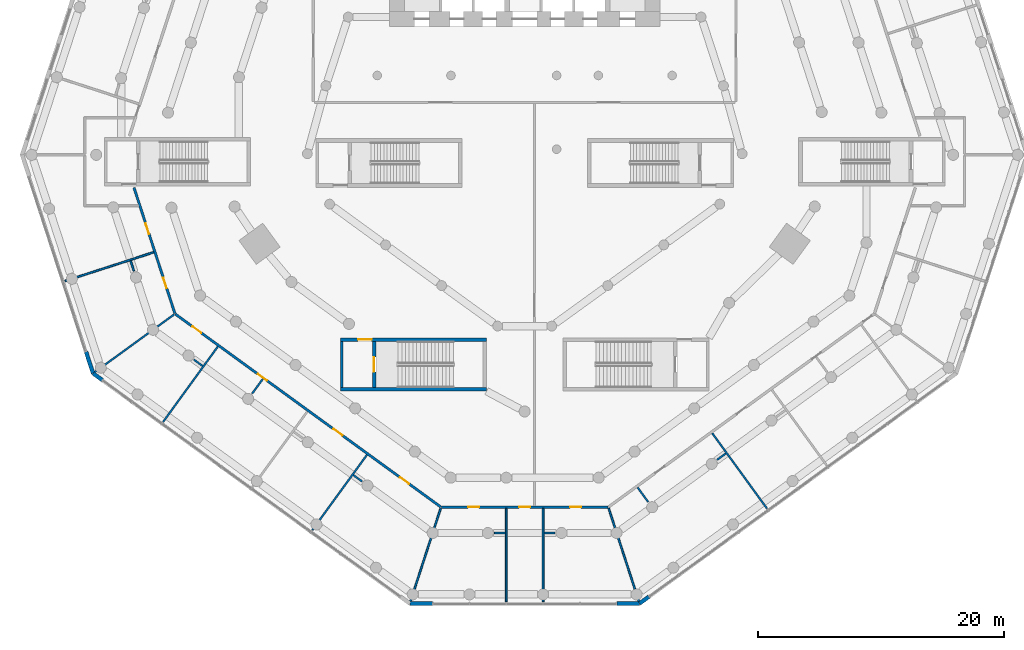
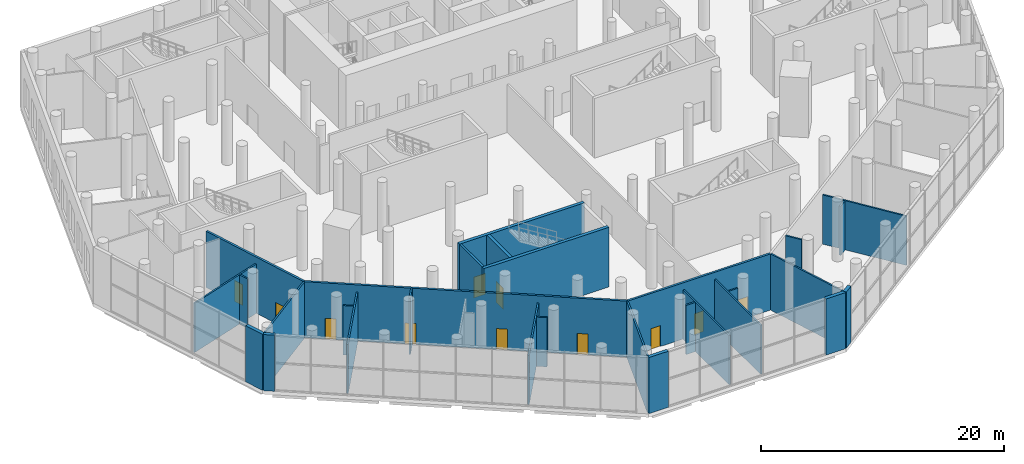
# One storey, part 12 of 23: 29 walls, 11 doors, 11 openings.
"""IFC4 building model written with IfcOpenShell, lengths in metres."""

from ifc_helpers import new_model, si_unit, direction, frame, frame_2d, origin, place, context, subcontext, project, spatial, rectangle, extrude, material, layer, layer_set, type_object, element, fill, save


model = new_model("IFC4")

# Units and contexts
model_context = context("Model", 3, precision=1e-05, world=origin(), true_north=direction((0.0, 1.0)))
body_context = subcontext(model_context, "Body", "Model", "MODEL_VIEW")
ifc_project = project(units=[si_unit("LENGTHUNIT", "METRE"), si_unit("AREAUNIT", "SQUARE_METRE"), si_unit("VOLUMEUNIT", "CUBIC_METRE"), si_unit("PLANEANGLEUNIT", "RADIAN"), si_unit("MASSUNIT", "GRAM", prefix="KILO")], contexts=[model_context])

# Site, building, storey
site_placement = place(None, origin())
site = spatial("IfcSite", under=ifc_project, at=site_placement, CompositionType="ELEMENT")
building_placement = place(site_placement, origin())
building = spatial("IfcBuilding", under=site, at=building_placement, Name="White Candle Pilgrim Tower", CompositionType="ELEMENT")
storey_placement = place(building_placement, frame((0.0, 0.0, 9.0)))
storey = spatial("IfcBuildingStorey", under=building, at=storey_placement, Name="L01", CompositionType="ELEMENT", Elevation=9.0)

# Wall
ifc_material_1 = material(Name="Concrete C70/85", Category="concrete")
ifc_layer_1 = layer(ifc_material_1, 0.199951171875)
ifc_layer_set_1 = layer_set([ifc_layer_1], Name="Core wall 200 mm Concrete C70/85")
wall_type_1 = type_object("IfcWallType", Name="Core wall 200 mm Concrete C70/85", PredefinedType="SHEAR", material=ifc_layer_set_1)
wall_1_placement = place(storey_placement, frame((55.10009765625, 41.60009765625, 0.0), z_axis=(0.0, 0.0, 1.0), x_axis=(0.0, 1.0, 0.0)))
element("IfcWall", 1, at=wall_1_placement, inside=storey, type_object=wall_type_1, Name="WL-L01-C03", PredefinedType="SHEAR", context=body_context, shape_type="SweptSolid", body=[
    extrude(rectangle(XDim=3.75, YDim=0.199951171875, at=frame_2d((1.875, 0.0))), origin(), (0.0, 0.0, 1.0), 6.0),
])

# Wall, openings, doors
ifc_material_2 = material(Name="Gypsum board on steel studs", Category="steel")
ifc_layer_2 = layer(ifc_material_2, 0.199951171875)
ifc_layer_set_2 = layer_set([ifc_layer_2], Name="Corridor wall 200 mm EI 45")
wall_type_2 = type_object("IfcWallType", Name="Corridor wall 200 mm EI 45", PredefinedType="PARTITIONING", material=ifc_layer_set_2)
wall_2_placement = place(storey_placement, frame((41.526611328125, 47.62890625, 0.0), z_axis=(0.0, 0.0, 1.0), x_axis=(-0.309028648899, 0.951052729432, 0.0)))
wall_2 = element("IfcWall", 2, at=wall_2_placement, inside=storey, type_object=wall_type_2, Name="WL-L01-P001", PredefinedType="PARTITIONING", context=body_context, shape_type="SweptSolid", body=[
    extrude(rectangle(XDim=10.767333984375, YDim=0.199951171875, at=frame_2d((5.3837890625, 0.0))), origin(), (0.0, 0.0, 1.0), 5.64990234375),
])
opening_1_placement = place(wall_2_placement, frame((6.796875, 0.0, 0.0)))
opening_1 = element("IfcOpeningElement", 3, at=opening_1_placement, cuts=wall_2, Name="Opening L01-104", PredefinedType="OPENING", context=body_context, shape_type="SweptSolid", body=[
    extrude(rectangle(XDim=0.89990234375, YDim=2.10009765625, at=frame_2d((0.449951171875, 1.050048828125))), frame((0.0, 0.10986328125, 0.0), z_axis=(0.0, -1.0, 0.0), x_axis=(1.0, 0.0, 0.0)), (0.0, 0.0, 1.0), 0.219970703125),
])
opening_2_placement = place(wall_2_placement, frame((2.169189453125, 0.0, 0.0)))
opening_2 = element("IfcOpeningElement", 4, at=opening_2_placement, cuts=wall_2, Name="Opening L01-105", PredefinedType="OPENING", context=body_context, shape_type="SweptSolid", body=[
    extrude(rectangle(XDim=0.89990234375, YDim=2.10009765625, at=frame_2d((0.449951171875, 1.050048828125))), frame((0.0, 0.10986328125, 0.0), z_axis=(0.0, -1.0, 0.0), x_axis=(1.0, 0.0, 0.0)), (0.0, 0.0, 1.0), 0.219970703125),
])
ifc_material_3 = material(Name="Steel door leaf", Category="steel")
door_type_1 = type_object("IfcDoorType", Name="Fire door 900 x 2100 EI 30", OperationType="NOTDEFINED", PredefinedType="DOOR", material=ifc_material_3)
door_1_placement = place(opening_1_placement, origin())
door_1 = element("IfcDoor", 5, at=door_1_placement, inside=storey, type_object=door_type_1, Name="Door L01-104", OperationType="SINGLE_SWING_RIGHT", OverallHeight=2.10009765625, OverallWidth=0.89990234375, PredefinedType="DOOR", context=body_context, shape_type="SweptSolid", body=[
    extrude(rectangle(XDim=0.89990234375, YDim=2.10009765625, at=frame_2d((0.449951171875, 1.050048828125))), frame((0.0, 0.02490234375, 0.0), z_axis=(0.0, -1.0, 0.0), x_axis=(1.0, 0.0, 0.0)), (0.0, 0.0, 1.0), 0.050048828125),
])
fill(opening_1, door_1)
door_2_placement = place(opening_2_placement, origin())
door_2 = element("IfcDoor", 6, at=door_2_placement, inside=storey, type_object=door_type_1, Name="Door L01-105", OperationType="SINGLE_SWING_LEFT", OverallHeight=2.10009765625, OverallWidth=0.89990234375, PredefinedType="DOOR", context=body_context, shape_type="SweptSolid", body=[
    extrude(rectangle(XDim=0.89990234375, YDim=2.10009765625, at=frame_2d((0.449951171875, 1.050048828125))), frame((0.0, 0.02490234375, 0.0), z_axis=(0.0, -1.0, 0.0), x_axis=(1.0, 0.0, 0.0)), (0.0, 0.0, 1.0), 0.050048828125),
])
fill(opening_2, door_2)

wall_3_placement = place(storey_placement, frame((76.77099609375, 31.861083984375, 0.0), z_axis=(0.0, 0.0, 1.0), x_axis=(-1.0, 0.0, 0.0)))
wall_3 = element("IfcWall", 7, at=wall_3_placement, inside=storey, type_object=wall_type_2, Name="WL-L01-P010", PredefinedType="PARTITIONING", context=body_context, shape_type="SweptSolid", body=[
    extrude(rectangle(XDim=13.5419921875, YDim=0.199951171875, at=frame_2d((6.77099609375, 0.0))), origin(), (0.0, 0.0, 1.0), 5.64990234375),
])
opening_3_placement = place(wall_3_placement, frame((10.472900390625, 0.0, 0.0)))
opening_3 = element("IfcOpeningElement", 8, at=opening_3_placement, cuts=wall_3, Name="Opening L01-110", PredefinedType="OPENING", context=body_context, shape_type="SweptSolid", body=[
    extrude(rectangle(XDim=0.89990234375, YDim=2.10009765625, at=frame_2d((0.449951171875, 1.050048828125))), frame((0.0, 0.10986328125, 0.0), z_axis=(0.0, -1.0, 0.0), x_axis=(1.0, 0.0, 0.0)), (0.0, 0.0, 1.0), 0.219970703125),
])
opening_4_placement = place(wall_3_placement, frame((6.321044921875, 0.0, 0.0)))
opening_4 = element("IfcOpeningElement", 9, at=opening_4_placement, cuts=wall_3, Name="Opening L01-111", PredefinedType="OPENING", context=body_context, shape_type="SweptSolid", body=[
    extrude(rectangle(XDim=0.89990234375, YDim=2.10009765625, at=frame_2d((0.449951171875, 1.050048828125))), frame((0.0, 0.10986328125, 0.0), z_axis=(0.0, -1.0, 0.0), x_axis=(1.0, 0.0, 0.0)), (0.0, 0.0, 1.0), 0.219970703125),
])
opening_5_placement = place(wall_3_placement, frame((2.169189453125, 0.0, 0.0)))
opening_5 = element("IfcOpeningElement", 10, at=opening_5_placement, cuts=wall_3, Name="Opening L01-112", PredefinedType="OPENING", context=body_context, shape_type="SweptSolid", body=[
    extrude(rectangle(XDim=0.89990234375, YDim=2.10009765625, at=frame_2d((0.449951171875, 1.050048828125))), frame((0.0, 0.10986328125, 0.0), z_axis=(0.0, -1.0, 0.0), x_axis=(1.0, 0.0, 0.0)), (0.0, 0.0, 1.0), 0.219970703125),
])
door_3_placement = place(opening_3_placement, origin())
door_3 = element("IfcDoor", 11, at=door_3_placement, inside=storey, type_object=door_type_1, Name="Door L01-110", OperationType="SINGLE_SWING_RIGHT", OverallHeight=2.10009765625, OverallWidth=0.89990234375, PredefinedType="DOOR", context=body_context, shape_type="SweptSolid", body=[
    extrude(rectangle(XDim=0.89990234375, YDim=2.10009765625, at=frame_2d((0.449951171875, 1.050048828125))), frame((0.0, 0.02490234375, 0.0), z_axis=(0.0, -1.0, 0.0), x_axis=(1.0, 0.0, 0.0)), (0.0, 0.0, 1.0), 0.050048828125),
])
fill(opening_3, door_3)
door_4_placement = place(opening_4_placement, origin())
door_4 = element("IfcDoor", 12, at=door_4_placement, inside=storey, type_object=door_type_1, Name="Door L01-111", OperationType="SINGLE_SWING_LEFT", OverallHeight=2.10009765625, OverallWidth=0.89990234375, PredefinedType="DOOR", context=body_context, shape_type="SweptSolid", body=[
    extrude(rectangle(XDim=0.89990234375, YDim=2.10009765625, at=frame_2d((0.449951171875, 1.050048828125))), frame((0.0, 0.02490234375, 0.0), z_axis=(0.0, -1.0, 0.0), x_axis=(1.0, 0.0, 0.0)), (0.0, 0.0, 1.0), 0.050048828125),
])
fill(opening_4, door_4)
door_5_placement = place(opening_5_placement, origin())
door_5 = element("IfcDoor", 13, at=door_5_placement, inside=storey, type_object=door_type_1, Name="Door L01-112", OperationType="SINGLE_SWING_RIGHT", OverallHeight=2.10009765625, OverallWidth=0.89990234375, PredefinedType="DOOR", context=body_context, shape_type="SweptSolid", body=[
    extrude(rectangle(XDim=0.89990234375, YDim=2.10009765625, at=frame_2d((0.449951171875, 1.050048828125))), frame((0.0, 0.02490234375, 0.0), z_axis=(0.0, -1.0, 0.0), x_axis=(1.0, 0.0, 0.0)), (0.0, 0.0, 1.0), 0.050048828125),
])
fill(opening_5, door_5)

wall_4_placement = place(storey_placement, frame((63.170166015625, 31.880126953125, 0.0), z_axis=(0.0, 0.0, 1.0), x_axis=(-0.809016646189, 0.587785731529, 0.0)))
wall_4 = element("IfcWall", 14, at=wall_4_placement, inside=storey, type_object=wall_type_2, Name="WL-L01-P011", PredefinedType="PARTITIONING", context=body_context, shape_type="SweptSolid", body=[
    extrude(rectangle(XDim=26.708251953125, YDim=0.199951171875, at=frame_2d((13.35400390625, 0.0))), origin(), (0.0, 0.0, 1.0), 5.64990234375),
])
opening_6_placement = place(wall_4_placement, frame((24.097412109375, 0.0, 0.0)))
opening_6 = element("IfcOpeningElement", 15, at=opening_6_placement, cuts=wall_4, Name="Opening L01-106", PredefinedType="OPENING", context=body_context, shape_type="SweptSolid", body=[
    extrude(rectangle(XDim=0.89990234375, YDim=2.10009765625, at=frame_2d((0.449951171875, 1.050048828125))), frame((0.0, 0.10986328125, 0.0), z_axis=(0.0, -1.0, 0.0), x_axis=(1.0, 0.0, 0.0)), (0.0, 0.0, 1.0), 0.219970703125),
])
opening_7_placement = place(wall_4_placement, frame((17.47900390625, 0.0, 0.0)))
opening_7 = element("IfcOpeningElement", 16, at=opening_7_placement, cuts=wall_4, Name="Opening L01-107", PredefinedType="OPENING", context=body_context, shape_type="SweptSolid", body=[
    extrude(rectangle(XDim=0.89990234375, YDim=2.10009765625, at=frame_2d((0.449951171875, 1.050048828125))), frame((0.0, 0.10986328125, 0.0), z_axis=(0.0, -1.0, 0.0), x_axis=(1.0, 0.0, 0.0)), (0.0, 0.0, 1.0), 0.219970703125),
])
opening_8_placement = place(wall_4_placement, frame((9.904052734375, 0.0, 0.0)))
opening_8 = element("IfcOpeningElement", 17, at=opening_8_placement, cuts=wall_4, Name="Opening L01-108", PredefinedType="OPENING", context=body_context, shape_type="SweptSolid", body=[
    extrude(rectangle(XDim=0.89990234375, YDim=2.10009765625, at=frame_2d((0.449951171875, 1.050048828125))), frame((0.0, 0.10986328125, 0.0), z_axis=(0.0, -1.0, 0.0), x_axis=(1.0, 0.0, 0.0)), (0.0, 0.0, 1.0), 0.219970703125),
])
opening_9_placement = place(wall_4_placement, frame((3.210693359375, 0.0, 0.0)))
opening_9 = element("IfcOpeningElement", 18, at=opening_9_placement, cuts=wall_4, Name="Opening L01-109", PredefinedType="OPENING", context=body_context, shape_type="SweptSolid", body=[
    extrude(rectangle(XDim=0.89990234375, YDim=2.10009765625, at=frame_2d((0.449951171875, 1.050048828125))), frame((0.0, 0.10986328125, 0.0), z_axis=(0.0, -1.0, 0.0), x_axis=(1.0, 0.0, 0.0)), (0.0, 0.0, 1.0), 0.219970703125),
])
door_6_placement = place(opening_6_placement, origin())
door_6 = element("IfcDoor", 19, at=door_6_placement, inside=storey, type_object=door_type_1, Name="Door L01-106", OperationType="SINGLE_SWING_RIGHT", OverallHeight=2.10009765625, OverallWidth=0.89990234375, PredefinedType="DOOR", context=body_context, shape_type="SweptSolid", body=[
    extrude(rectangle(XDim=0.89990234375, YDim=2.10009765625, at=frame_2d((0.449951171875, 1.050048828125))), frame((0.0, 0.02490234375, 0.0), z_axis=(0.0, -1.0, 0.0), x_axis=(1.0, 0.0, 0.0)), (0.0, 0.0, 1.0), 0.050048828125),
])
fill(opening_6, door_6)
door_7_placement = place(opening_7_placement, frame((0.89990234375, 0.0, 0.0), z_axis=(0.0, 0.0, 1.0), x_axis=(-1.0, 0.0, 0.0)))
door_7 = element("IfcDoor", 20, at=door_7_placement, inside=storey, type_object=door_type_1, Name="Door L01-107", OperationType="SINGLE_SWING_RIGHT", OverallHeight=2.10009765625, OverallWidth=0.89990234375, PredefinedType="DOOR", context=body_context, shape_type="SweptSolid", body=[
    extrude(rectangle(XDim=0.89990234375, YDim=2.10009765625, at=frame_2d((0.449951171875, 1.050048828125))), frame((0.0, 0.02490234375, 0.0), z_axis=(0.0, -1.0, 0.0), x_axis=(1.0, 0.0, 0.0)), (0.0, 0.0, 1.0), 0.050048828125),
])
fill(opening_7, door_7)
door_8_placement = place(opening_8_placement, origin())
door_8 = element("IfcDoor", 21, at=door_8_placement, inside=storey, type_object=door_type_1, Name="Door L01-108", OperationType="SINGLE_SWING_RIGHT", OverallHeight=2.10009765625, OverallWidth=0.89990234375, PredefinedType="DOOR", context=body_context, shape_type="SweptSolid", body=[
    extrude(rectangle(XDim=0.89990234375, YDim=2.10009765625, at=frame_2d((0.449951171875, 1.050048828125))), frame((0.0, 0.02490234375, 0.0), z_axis=(0.0, -1.0, 0.0), x_axis=(1.0, 0.0, 0.0)), (0.0, 0.0, 1.0), 0.050048828125),
])
fill(opening_8, door_8)
door_9_placement = place(opening_9_placement, origin())
door_9 = element("IfcDoor", 22, at=door_9_placement, inside=storey, type_object=door_type_1, Name="Door L01-109", OperationType="SINGLE_SWING_LEFT", OverallHeight=2.10009765625, OverallWidth=0.89990234375, PredefinedType="DOOR", context=body_context, shape_type="SweptSolid", body=[
    extrude(rectangle(XDim=0.89990234375, YDim=2.10009765625, at=frame_2d((0.449951171875, 1.050048828125))), frame((0.0, 0.02490234375, 0.0), z_axis=(0.0, -1.0, 0.0), x_axis=(1.0, 0.0, 0.0)), (0.0, 0.0, 1.0), 0.050048828125),
])
fill(opening_9, door_9)

# Walls
ifc_material_4 = material(Name="Precast concrete C40/50", Category="concrete")
ifc_layer_3 = layer(ifc_material_4, 0.320068359375)
ifc_layer_set_3 = layer_set([ifc_layer_3], Name="Facade wall EW3 precast concrete C40/50 and stone-faced podium wall")
wall_type_3 = type_object("IfcWallType", Name="Facade wall EW3 precast concrete C40/50 and stone-faced podium wall", PredefinedType="SOLIDWALL", material=ifc_layer_set_3)
wall_5_placement = place(storey_placement, frame((34.29541015625, 44.512939453125, 0.0), z_axis=(0.0, 0.0, 1.0), x_axis=(0.309017479962, -0.951056358518, 0.0)))
element("IfcWall", 23, at=wall_5_placement, inside=storey, type_object=wall_type_3, Name="Facade wall L01 W chamfer", PredefinedType="SOLIDWALL", context=body_context, shape_type="SweptSolid", body=[
    extrude(rectangle(XDim=1.85107421875, YDim=0.320068359375, at=frame_2d((0.925537109375, 0.0))), origin(), (0.0, 0.0, 1.0), 5.64990234375),
])
wall_6_placement = place(storey_placement, frame((34.867431640625, 42.75244140625, 0.0), z_axis=(0.0, 0.0, 1.0), x_axis=(0.809097681341, -0.587674180179, 0.0)))
element("IfcWall", 24, at=wall_6_placement, inside=storey, type_object=wall_type_3, Name="Facade wall L01 SW", PredefinedType="SOLIDWALL", context=body_context, shape_type="SweptSolid", body=[
    extrude(rectangle(XDim=0.933837890625, YDim=0.320068359375, at=frame_2d((0.466796875, 0.0))), origin(), (0.0, 0.0, 1.0), 5.64990234375),
])
for number, where, z_axis, x_axis, name in (
    (25, (60.64892578125, 24.02099609375, 0.0), (0.0, 0.0, 1.0), (1.0, 0.0, 0.0), "Facade wall L01 S chamfer"),
    (26, (77.5, 24.02099609375, 0.0), (0.0, 0.0, 1.0), (1.0, 0.0, 0.0), "Facade wall L01 S chamfer"),
):
    element("IfcWall", number, at=place(storey_placement, frame(where, z_axis=z_axis, x_axis=x_axis)), inside=storey, type_object=wall_type_3, Name=name, PredefinedType="SOLIDWALL", context=body_context, shape_type="SweptSolid", body=[
        extrude(rectangle(XDim=1.85107421875, YDim=0.320068359375, at=frame_2d((0.925537109375, 0.0))), origin(), (0.0, 0.0, 1.0), 5.64990234375),
    ])
wall_7_placement = place(storey_placement, frame((79.35107421875, 24.02099609375, 0.0), z_axis=(0.0, 0.0, 1.0), x_axis=(0.808883028491, 0.58796959634, 0.0)))
element("IfcWall", 27, at=wall_7_placement, inside=storey, type_object=wall_type_3, Name="Facade wall L01 SE", PredefinedType="SOLIDWALL", context=body_context, shape_type="SweptSolid", body=[
    extrude(rectangle(XDim=0.933837890625, YDim=0.320068359375, at=frame_2d((0.466796875, 0.0))), origin(), (0.0, 0.0, 1.0), 5.64990234375),
])
ifc_layer_4 = layer(ifc_material_2, 0.14990234375)
ifc_layer_set_4 = layer_set([ifc_layer_4], Name="Partition 150 mm EI 60")
wall_type_4 = type_object("IfcWallType", Name="Partition 150 mm EI 60", PredefinedType="PARTITIONING", material=ifc_layer_set_4)
for number, where, z_axis, x_axis, name in (
    (28, (35.00341796875, 42.851318359375, 0.0), (0.0, 0.0, 1.0), (0.809022705267, 0.587777391843, 0.0), "WL-L01-P013"),
    (29, (60.700927734375, 24.18115234375, 0.0), (0.0, 0.0, 1.0), (0.309032181924, 0.951051581427, 0.0), "WL-L01-P014"),
    (30, (79.299072265625, 24.18115234375, 0.0), (0.0, 0.0, 1.0), (-0.309032181924, 0.951051581427, 0.0), "WL-L01-P015"),
):
    element("IfcWall", number, at=place(storey_placement, frame(where, z_axis=z_axis, x_axis=x_axis)), inside=storey, type_object=wall_type_4, Name=name, PredefinedType="PARTITIONING", context=body_context, shape_type="SweptSolid", body=[
        extrude(rectangle(XDim=7.990234375, YDim=0.14990234375, at=frame_2d((3.9951171875, 0.0))), origin(), (0.0, 0.0, 1.0), 5.64990234375),
    ])
for number, where, z_axis, x_axis, name in (
    (31, (32.593505859375, 50.268798828125, 0.0), (0.0, 0.0, 1.0), (0.951058681979, 0.309010329007, 0.0), "WL-L01-P021"),
    (32, (40.571044921875, 38.806396484375, 0.0), (0.0, 0.0, 1.0), (0.587800109381, 0.80900619986, 0.0), "WL-L01-P022"),
    (33, (52.706298828125, 29.989501953125, 0.0), (0.0, 0.0, 1.0), (0.587800109381, 0.80900619986, 0.0), "WL-L01-P024"),
):
    element("IfcWall", number, at=place(storey_placement, frame(where, z_axis=z_axis, x_axis=x_axis)), inside=storey, type_object=wall_type_4, Name=name, PredefinedType="PARTITIONING", context=body_context, shape_type="SweptSolid", body=[
        extrude(rectangle(XDim=7.580078125, YDim=0.14990234375, at=frame_2d((3.7900390625, 0.0))), origin(), (0.0, 0.0, 1.0), 4.949951171875),
    ])
for number, where, z_axis, x_axis, name in (
    (34, (68.5, 24.18115234375, 0.0), (0.0, 0.0, 1.0), (0.0, 1.0, 0.0), "WL-L01-P025"),
    (35, (71.5, 24.18115234375, 0.0), (0.0, 0.0, 1.0), (0.0, 1.0, 0.0), "WL-L01-P026"),
    (36, (89.720703125, 31.7529296875, 0.0), (0.0, 0.0, 1.0), (-0.587779028788, 0.809021515979, 0.0), "WL-L01-P027"),
):
    element("IfcWall", number, at=place(storey_placement, frame(where, z_axis=z_axis, x_axis=x_axis)), inside=storey, type_object=wall_type_4, Name=name, PredefinedType="PARTITIONING", context=body_context, shape_type="SweptSolid", body=[
        extrude(rectangle(XDim=7.579833984375, YDim=0.14990234375, at=frame_2d((3.7900390625, 0.0))), origin(), (0.0, 0.0, 1.0), 4.949951171875),
    ])
wall_8_placement = place(storey_placement, frame((38.19287109375, 51.078125, 0.0), z_axis=(0.0, 0.0, 1.0), x_axis=(-0.309023738622, 0.95105432493, 0.0)))
element("IfcWall", 37, at=wall_8_placement, inside=storey, type_object=wall_type_4, Name="WL-L01-P037", PredefinedType="PARTITIONING", context=body_context, shape_type="SweptSolid", body=[
    extrude(rectangle(XDim=0.8857421875, YDim=0.14990234375, at=frame_2d((0.44287109375, 0.0))), origin(), (0.0, 0.0, 1.0), 4.949951171875),
])
wall_9_placement = place(storey_placement, frame((43.067138671875, 43.87548828125, 0.0), z_axis=(0.0, 0.0, 1.0), x_axis=(0.809010335679, -0.587794417092, 0.0)))
element("IfcWall", 38, at=wall_9_placement, inside=storey, type_object=wall_type_4, Name="WL-L01-P038", PredefinedType="PARTITIONING", context=body_context, shape_type="SweptSolid", body=[
    extrude(rectangle(XDim=0.885009765625, YDim=0.14990234375, at=frame_2d((0.4423828125, 0.0))), origin(), (0.0, 0.0, 1.0), 4.949951171875),
])
wall_10_placement = place(storey_placement, frame((47.818603515625, 41.106201171875, 0.0), z_axis=(0.0, 0.0, 1.0), x_axis=(0.587833462746, 0.808981965236, 0.0)))
element("IfcWall", 39, at=wall_10_placement, inside=storey, type_object=wall_type_4, Name="WL-L01-P039", PredefinedType="PARTITIONING", context=body_context, shape_type="SweptSolid", body=[
    extrude(rectangle(XDim=1.45947265625, YDim=0.14990234375, at=frame_2d((0.729736328125, 0.0))), origin(), (0.0, 0.0, 1.0), 5.64990234375),
])
wall_11_placement = place(storey_placement, frame((56.77001953125, 33.948486328125, 0.0), z_axis=(0.0, 0.0, 1.0), x_axis=(-0.809069729339, 0.587712661993, 0.0)))
element("IfcWall", 40, at=wall_11_placement, inside=storey, type_object=wall_type_4, Name="WL-L01-P041", PredefinedType="PARTITIONING", context=body_context, shape_type="SweptSolid", body=[
    extrude(rectangle(XDim=0.8857421875, YDim=0.14990234375, at=frame_2d((0.44287109375, 0.0))), origin(), (0.0, 0.0, 1.0), 4.949951171875),
])
for number, where, z_axis, x_axis, name in (
    (41, (67.5400390625, 29.76318359375, 0.0), (0.0, 0.0, 1.0), (1.0, 0.0, 0.0), "WL-L01-P042"),
    (42, (72.4599609375, 29.7587890625, 0.0), (0.0, 0.0, 1.0), (-1.0, 0.0, 0.0), "WL-L01-P043"),
):
    element("IfcWall", number, at=place(storey_placement, frame(where, z_axis=z_axis, x_axis=x_axis)), inside=storey, type_object=wall_type_4, Name=name, PredefinedType="PARTITIONING", context=body_context, shape_type="SweptSolid", body=[
        extrude(rectangle(XDim=0.885009765625, YDim=0.14990234375, at=frame_2d((0.4423828125, 0.0))), origin(), (0.0, 0.0, 1.0), 4.949951171875),
    ])
wall_12_placement = place(storey_placement, frame((80.04638671875, 32.2890625, 0.0), z_axis=(0.0, 0.0, 1.0), x_axis=(-0.587674392419, 0.809097527184, 0.0)))
element("IfcWall", 43, at=wall_12_placement, inside=storey, type_object=wall_type_4, Name="WL-L01-P044", PredefinedType="PARTITIONING", context=body_context, shape_type="SweptSolid", body=[
    extrude(rectangle(XDim=1.4599609375, YDim=0.14990234375, at=frame_2d((0.72998046875, 0.0))), origin(), (0.0, 0.0, 1.0), 5.64990234375),
])
wall_13_placement = place(storey_placement, frame((85.656982421875, 35.71240234375, 0.0), z_axis=(0.0, 0.0, 1.0), x_axis=(0.809105603792, 0.587663272557, 0.0)))
element("IfcWall", 44, at=wall_13_placement, inside=storey, type_object=wall_type_4, Name="WL-L01-P045", PredefinedType="PARTITIONING", context=body_context, shape_type="SweptSolid", body=[
    extrude(rectangle(XDim=0.88525390625, YDim=0.14990234375, at=frame_2d((0.442626953125, 0.0))), origin(), (0.0, 0.0, 1.0), 4.949951171875),
])
ifc_layer_5 = layer(ifc_material_1, 0.300048828125)
ifc_layer_set_5 = layer_set([ifc_layer_5], Name="Stair shaft wall 300 mm Concrete C70/85")
wall_type_5 = type_object("IfcWallType", Name="Stair shaft wall 300 mm Concrete C70/85", PredefinedType="SHEAR", material=ifc_layer_set_5)
wall_14_placement = place(storey_placement, frame((55.0, 41.449951171875, 0.0), z_axis=(0.0, 0.0, 1.0), x_axis=(1.0, 0.0, 0.0)))
element("IfcWall", 45, at=wall_14_placement, inside=storey, type_object=wall_type_5, Name="WL-L01-C01", PredefinedType="SHEAR", context=body_context, shape_type="SweptSolid", body=[
    extrude(rectangle(XDim=11.89990234375, YDim=0.300048828125, at=frame_2d((5.949951171875, 0.0))), origin(), (0.0, 0.0, 1.0), 6.0),
])

# Wall, opening, door
wall_15_placement = place(storey_placement, frame((57.75, 41.60009765625, 0.0), z_axis=(0.0, 0.0, 1.0), x_axis=(0.0, 1.0, 0.0)))
wall_15 = element("IfcWall", 46, at=wall_15_placement, inside=storey, type_object=wall_type_5, Name="WL-L01-C04", PredefinedType="SHEAR", context=body_context, shape_type="SweptSolid", body=[
    extrude(rectangle(XDim=3.75, YDim=0.300048828125, at=frame_2d((1.875, 0.0))), origin(), (0.0, 0.0, 1.0), 6.0),
])
opening_10_placement = place(wall_15_placement, frame((1.27490234375, 0.0, 0.0)))
opening_10 = element("IfcOpeningElement", 47, at=opening_10_placement, cuts=wall_15, Name="Opening L01-012", PredefinedType="OPENING", context=body_context, shape_type="SweptSolid", body=[
    extrude(rectangle(XDim=1.199951171875, YDim=2.10009765625, at=frame_2d((0.60009765625, 1.050048828125))), frame((0.0, 0.159912109375, 0.0), z_axis=(0.0, -1.0, 0.0), x_axis=(1.0, 0.0, 0.0)), (0.0, 0.0, 1.0), 0.320068359375),
])
door_type_2 = type_object("IfcDoorType", Name="Fire door 1200 x 2100 EI 60", OperationType="NOTDEFINED", PredefinedType="DOOR", material=ifc_material_3)
door_10_placement = place(opening_10_placement, frame((1.199951171875, 0.0, 0.0), z_axis=(0.0, 0.0, 1.0), x_axis=(-1.0, 0.0, 0.0)))
door_10 = element("IfcDoor", 48, at=door_10_placement, inside=storey, type_object=door_type_2, Name="Door L01-012", OperationType="SINGLE_SWING_LEFT", OverallHeight=2.10009765625, OverallWidth=1.199951171875, PredefinedType="DOOR", context=body_context, shape_type="SweptSolid", body=[
    extrude(rectangle(XDim=1.199951171875, YDim=2.10009765625, at=frame_2d((0.60009765625, 1.050048828125))), frame((0.0, 0.02490234375, 0.0), z_axis=(0.0, -1.0, 0.0), x_axis=(1.0, 0.0, 0.0)), (0.0, 0.0, 1.0), 0.050048828125),
])
fill(opening_10, door_10)

wall_16_placement = place(storey_placement, frame((55.0, 45.5, 0.0), z_axis=(0.0, 0.0, 1.0), x_axis=(1.0, 0.0, 0.0)))
wall_16 = element("IfcWall", 49, at=wall_16_placement, inside=storey, type_object=wall_type_5, Name="WL-L01-C09", PredefinedType="SHEAR", context=body_context, shape_type="SweptSolid", body=[
    extrude(rectangle(XDim=11.89990234375, YDim=0.300048828125, at=frame_2d((5.949951171875, 0.0))), origin(), (0.0, 0.0, 1.0), 6.0),
])
opening_11_placement = place(wall_16_placement, frame((1.449951171875, 0.0, 0.0)))
opening_11 = element("IfcOpeningElement", 50, at=opening_11_placement, cuts=wall_16, Name="Opening L01-011", PredefinedType="OPENING", context=body_context, shape_type="SweptSolid", body=[
    extrude(rectangle(XDim=1.10009765625, YDim=2.10009765625, at=frame_2d((0.550048828125, 1.050048828125))), frame((0.0, 0.159912109375, 0.0), z_axis=(0.0, -1.0, 0.0), x_axis=(1.0, 0.0, 0.0)), (0.0, 0.0, 1.0), 0.320068359375),
])
door_type_3 = type_object("IfcDoorType", Name="Fire door 1100 x 2100 EI 60", OperationType="NOTDEFINED", PredefinedType="DOOR", material=ifc_material_3)
door_11_placement = place(opening_11_placement, frame((1.10009765625, 0.0, 0.0), z_axis=(0.0, 0.0, 1.0), x_axis=(-1.0, 0.0, 0.0)))
door_11 = element("IfcDoor", 51, at=door_11_placement, inside=storey, type_object=door_type_3, Name="Door L01-011", OperationType="SINGLE_SWING_RIGHT", OverallHeight=2.10009765625, OverallWidth=1.10009765625, PredefinedType="DOOR", context=body_context, shape_type="SweptSolid", body=[
    extrude(rectangle(XDim=1.10009765625, YDim=2.10009765625, at=frame_2d((0.550048828125, 1.050048828125))), frame((0.0, 0.02490234375, 0.0), z_axis=(0.0, -1.0, 0.0), x_axis=(1.0, 0.0, 0.0)), (0.0, 0.0, 1.0), 0.050048828125),
])
fill(opening_11, door_11)

save(model, "model.ifc")
